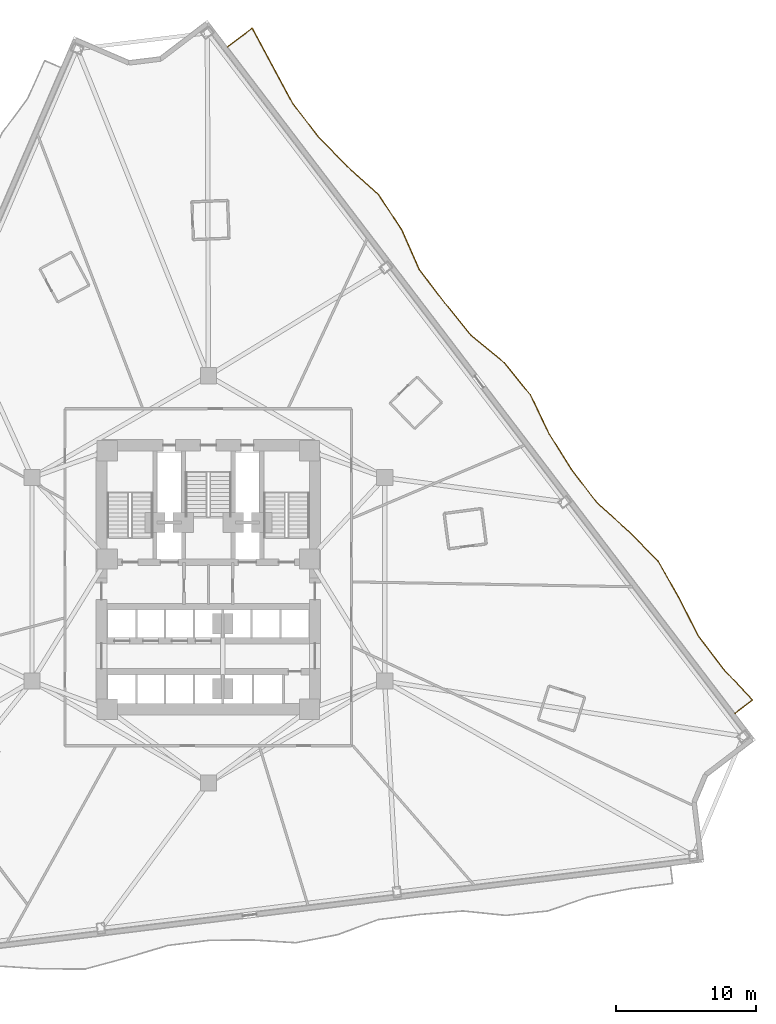
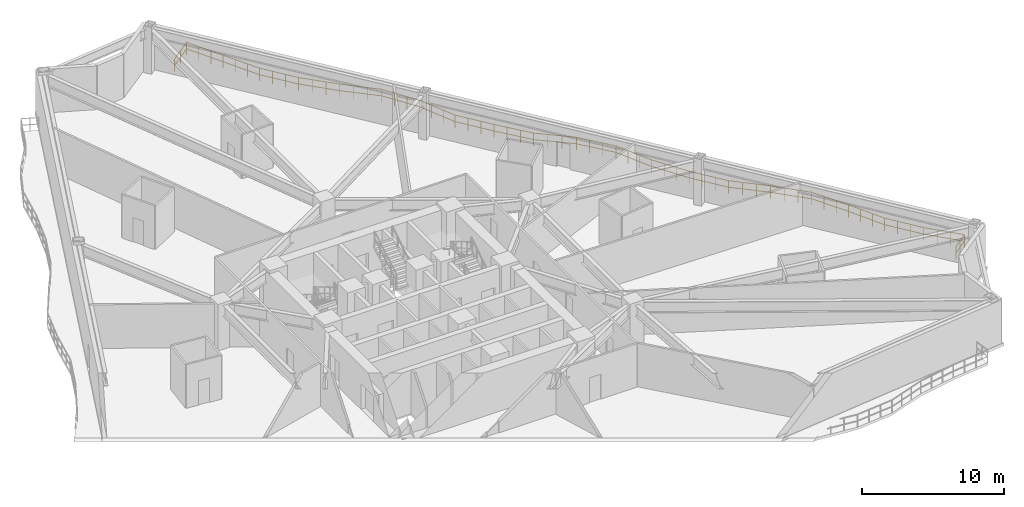
# One storey, part 13 of 13: 1 railing.
"""IFC4 building model written with IfcOpenShell, lengths in metres."""

from ifc_helpers import new_model, si_unit, direction, frame, origin, origin_2d, place, context, subcontext, project, spatial, rectangle, extrude, material, type_object, element, save


model = new_model("IFC4")

# Units and contexts
model_context = context("Model", 3, precision=1e-05, world=origin(), true_north=direction((0.0, 1.0)))
body_context = subcontext(model_context, "Body", "Model", "MODEL_VIEW")
ifc_project = project(units=[si_unit("LENGTHUNIT", "METRE"), si_unit("AREAUNIT", "SQUARE_METRE"), si_unit("VOLUMEUNIT", "CUBIC_METRE"), si_unit("PLANEANGLEUNIT", "RADIAN"), si_unit("MASSUNIT", "GRAM", prefix="KILO")], contexts=[model_context])

# Site, building, storey
site_placement = place(None, origin())
site = spatial("IfcSite", under=ifc_project, at=site_placement, CompositionType="ELEMENT")
building_placement = place(site_placement, origin())
building = spatial("IfcBuilding", under=site, at=building_placement, Name="Apsidion Concourse Tower", CompositionType="ELEMENT")
storey_placement = place(building_placement, frame((0.0, 0.0, 67.0)))
storey = spatial("IfcBuildingStorey", under=building, at=storey_placement, Name="L14", CompositionType="ELEMENT", Elevation=67.0)

# Railing
ifc_material = material(Name="Brushed stainless steel 316", Category="steel")
railing_type = type_object("IfcRailingType", Name="RL-BAL-1120", PredefinedType="BALUSTRADE", material=ifc_material)
railing_placement = place(storey_placement, frame((1.376708984375, 37.926513671875, 0.0)))
element("IfcRailing", 1, at=railing_placement, inside=storey, type_object=railing_type, Name="L14 Face 3 Rippling Balcony Balustrade", PredefinedType="BALUSTRADE", context=body_context, shape_type="SweptSolid", body=[
    extrude(rectangle(XDim=0.048095703125, YDim=0.048095703125, at=origin_2d()), frame((0.0, 0.0, 1.09619140625), z_axis=(0.795572181555, 0.605858815184, 0.0), x_axis=(-0.605858815184, 0.795572181555, 0.0)), (0.0, 0.0, 1.0), 2.194091796875),
    extrude(rectangle(XDim=0.048095703125, YDim=0.048095703125, at=origin_2d()), frame((0.0, 0.0, 0.5361328125), z_axis=(0.795572181555, 0.605858815184, 0.0), x_axis=(-0.605858815184, 0.795572181555, 0.0)), (0.0, 0.0, 1.0), 2.194091796875),
    extrude(rectangle(XDim=0.048095703125, YDim=0.048095703125, at=origin_2d()), frame((1.74560546875, 1.329345703125, 1.09619140625), z_axis=(0.473593618875, -0.880743483746, 0.0), x_axis=(0.880743483746, 0.473593618875, 0.0)), (0.0, 0.0, 1.0), 3.020263671875),
    extrude(rectangle(XDim=0.048095703125, YDim=0.048095703125, at=origin_2d()), frame((1.74560546875, 1.329345703125, 0.5361328125), z_axis=(0.473593618875, -0.880743483746, 0.0), x_axis=(0.880743483746, 0.473593618875, 0.0)), (0.0, 0.0, 1.0), 3.020263671875),
    extrude(rectangle(XDim=0.048095703125, YDim=0.048095703125, at=origin_2d()), frame((3.176025390625, -1.330810546875, 1.09619140625), z_axis=(0.474552930363, -0.880226968619, 0.0), x_axis=(0.880226968619, 0.474552930363, 0.0)), (0.0, 0.0, 1.0), 3.02001953125),
    extrude(rectangle(XDim=0.048095703125, YDim=0.048095703125, at=origin_2d()), frame((3.176025390625, -1.330810546875, 0.5361328125), z_axis=(0.474552930363, -0.880226968619, 0.0), x_axis=(0.880226968619, 0.474552930363, 0.0)), (0.0, 0.0, 1.0), 3.02001953125),
    extrude(rectangle(XDim=0.048095703125, YDim=0.048095703125, at=origin_2d()), frame((4.609130859375, -3.989013671875, 1.09619140625), z_axis=(0.605902647508, -0.795538799646, 0.0), x_axis=(0.795538799646, 0.605902647508, 0.0)), (0.0, 0.0, 1.0), 2.98291015625),
    extrude(rectangle(XDim=0.048095703125, YDim=0.048095703125, at=origin_2d()), frame((4.609130859375, -3.989013671875, 0.5361328125), z_axis=(0.605902647508, -0.795538799646, 0.0), x_axis=(0.795538799646, 0.605902647508, 0.0)), (0.0, 0.0, 1.0), 2.98291015625),
    extrude(rectangle(XDim=0.048095703125, YDim=0.048095703125, at=origin_2d()), frame((6.41650390625, -6.362060546875, 1.09619140625), z_axis=(0.699060414313, -0.715062610644, 0.0), x_axis=(0.715062610644, 0.699060414313, 0.0)), (0.0, 0.0, 1.0), 3.005615234375),
    extrude(rectangle(XDim=0.048095703125, YDim=0.048095703125, at=origin_2d()), frame((6.41650390625, -6.362060546875, 0.5361328125), z_axis=(0.699060414313, -0.715062610644, 0.0), x_axis=(0.715062610644, 0.699060414313, 0.0)), (0.0, 0.0, 1.0), 3.005615234375),
    extrude(rectangle(XDim=0.048095703125, YDim=0.048095703125, at=origin_2d()), frame((8.517578125, -8.51123046875, 1.09619140625), z_axis=(0.740747903808, -0.671783107114, 0.0), x_axis=(0.671783107114, 0.740747903808, 0.0)), (0.0, 0.0, 1.0), 3.033935546875),
    extrude(rectangle(XDim=0.048095703125, YDim=0.048095703125, at=origin_2d()), frame((8.517578125, -8.51123046875, 0.5361328125), z_axis=(0.740747903808, -0.671783107114, 0.0), x_axis=(0.671783107114, 0.740747903808, 0.0)), (0.0, 0.0, 1.0), 3.033935546875),
    extrude(rectangle(XDim=0.048095703125, YDim=0.048095703125, at=origin_2d()), frame((10.764892578125, -10.54931640625, 1.09619140625), z_axis=(0.549091532846, -0.835762220106, 0.0), x_axis=(0.835762220106, 0.549091532846, 0.0)), (0.0, 0.0, 1.0), 2.990234375),
    extrude(rectangle(XDim=0.048095703125, YDim=0.048095703125, at=origin_2d()), frame((10.764892578125, -10.54931640625, 0.5361328125), z_axis=(0.549091532846, -0.835762220106, 0.0), x_axis=(0.835762220106, 0.549091532846, 0.0)), (0.0, 0.0, 1.0), 2.990234375),
    extrude(rectangle(XDim=0.048095703125, YDim=0.048095703125, at=origin_2d()), frame((12.40673828125, -13.04833984375, 1.09619140625), z_axis=(0.403847906687, -0.914826141004, 0.0), x_axis=(0.914826141004, 0.403847906687, 0.0)), (0.0, 0.0, 1.0), 3.0673828125),
    extrude(rectangle(XDim=0.048095703125, YDim=0.048095703125, at=origin_2d()), frame((12.40673828125, -13.04833984375, 0.5361328125), z_axis=(0.403847906687, -0.914826141004, 0.0), x_axis=(0.914826141004, 0.403847906687, 0.0)), (0.0, 0.0, 1.0), 3.0673828125),
    extrude(rectangle(XDim=0.048095703125, YDim=0.048095703125, at=origin_2d()), frame((13.6455078125, -15.8544921875, 1.09619140625), z_axis=(0.605902647508, -0.795538799646, 0.0), x_axis=(0.795538799646, 0.605902647508, 0.0)), (0.0, 0.0, 1.0), 2.98291015625),
    extrude(rectangle(XDim=0.048095703125, YDim=0.048095703125, at=origin_2d()), frame((13.6455078125, -15.8544921875, 0.5361328125), z_axis=(0.605902647508, -0.795538799646, 0.0), x_axis=(0.795538799646, 0.605902647508, 0.0)), (0.0, 0.0, 1.0), 2.98291015625),
    extrude(rectangle(XDim=0.048095703125, YDim=0.048095703125, at=origin_2d()), frame((15.452880859375, -18.2275390625, 1.09619140625), z_axis=(0.631217613317, -0.775605779142, 0.0), x_axis=(0.775605779142, 0.631217613317, 0.0)), (0.0, 0.0, 1.0), 2.984375),
    extrude(rectangle(XDim=0.048095703125, YDim=0.048095703125, at=origin_2d()), frame((15.452880859375, -18.2275390625, 0.5361328125), z_axis=(0.631217613317, -0.775605779142, 0.0), x_axis=(0.775605779142, 0.631217613317, 0.0)), (0.0, 0.0, 1.0), 2.984375),
    extrude(rectangle(XDim=0.048095703125, YDim=0.048095703125, at=origin_2d()), frame((17.336669921875, -20.542236328125, 1.09619140625), z_axis=(0.770210648976, -0.637789586152, 0.0), x_axis=(0.637789586152, 0.770210648976, 0.0)), (0.0, 0.0, 1.0), 3.062255859375),
    extrude(rectangle(XDim=0.048095703125, YDim=0.048095703125, at=origin_2d()), frame((17.336669921875, -20.542236328125, 0.5361328125), z_axis=(0.770210648976, -0.637789586152, 0.0), x_axis=(0.637789586152, 0.770210648976, 0.0)), (0.0, 0.0, 1.0), 3.062255859375),
    extrude(rectangle(XDim=0.048095703125, YDim=0.048095703125, at=origin_2d()), frame((19.6953125, -22.495361328125, 1.09619140625), z_axis=(0.630909757104, -0.775856222757, 0.0), x_axis=(0.775856222757, 0.630909757104, 0.0)), (0.0, 0.0, 1.0), 2.984619140625),
    extrude(rectangle(XDim=0.048095703125, YDim=0.048095703125, at=origin_2d()), frame((19.6953125, -22.495361328125, 0.5361328125), z_axis=(0.630909757104, -0.775856222757, 0.0), x_axis=(0.775856222757, 0.630909757104, 0.0)), (0.0, 0.0, 1.0), 2.984619140625),
    extrude(rectangle(XDim=0.048095703125, YDim=0.048095703125, at=origin_2d()), frame((21.578369140625, -24.81103515625, 1.09619140625), z_axis=(0.431469675732, -0.902127440511, 0.0), x_axis=(0.902127440511, 0.431469675732, 0.0)), (0.0, 0.0, 1.0), 3.04638671875),
    extrude(rectangle(XDim=0.048095703125, YDim=0.048095703125, at=origin_2d()), frame((21.578369140625, -24.81103515625, 0.5361328125), z_axis=(0.431469675732, -0.902127440511, 0.0), x_axis=(0.902127440511, 0.431469675732, 0.0)), (0.0, 0.0, 1.0), 3.04638671875),
    extrude(rectangle(XDim=0.048095703125, YDim=0.048095703125, at=origin_2d()), frame((22.892822265625, -27.559326171875, 1.09619140625), z_axis=(0.533087845817, -0.846059896604, 0.0), x_axis=(0.846059896604, 0.533087845817, 0.0)), (0.0, 0.0, 1.0), 2.99462890625),
    extrude(rectangle(XDim=0.048095703125, YDim=0.048095703125, at=origin_2d()), frame((22.892822265625, -27.559326171875, 0.5361328125), z_axis=(0.533087845817, -0.846059896604, 0.0), x_axis=(0.846059896604, 0.533087845817, 0.0)), (0.0, 0.0, 1.0), 2.99462890625),
    extrude(rectangle(XDim=0.048095703125, YDim=0.048095703125, at=origin_2d()), frame((24.4892578125, -30.093017578125, 1.09619140625), z_axis=(0.605850845078, -0.795578251034, 0.0), x_axis=(0.795578251034, 0.605850845078, 0.0)), (0.0, 0.0, 1.0), 2.98291015625),
    extrude(rectangle(XDim=0.048095703125, YDim=0.048095703125, at=origin_2d()), frame((24.4892578125, -30.093017578125, 0.5361328125), z_axis=(0.605850845078, -0.795578251034, 0.0), x_axis=(0.795578251034, 0.605850845078, 0.0)), (0.0, 0.0, 1.0), 2.98291015625),
    extrude(rectangle(XDim=0.048095703125, YDim=0.048095703125, at=origin_2d()), frame((26.29638671875, -32.466064453125, 1.09619140625), z_axis=(0.74418490021, -0.667973677849, 0.0), x_axis=(0.667973677849, 0.74418490021, 0.0)), (0.0, 0.0, 1.0), 3.036865234375),
    extrude(rectangle(XDim=0.048095703125, YDim=0.048095703125, at=origin_2d()), frame((26.29638671875, -32.466064453125, 0.5361328125), z_axis=(0.74418490021, -0.667973677849, 0.0), x_axis=(0.667973677849, 0.74418490021, 0.0)), (0.0, 0.0, 1.0), 3.036865234375),
    extrude(rectangle(XDim=0.048095703125, YDim=0.048095703125, at=origin_2d()), frame((28.556396484375, -34.49462890625, 1.09619140625), z_axis=(0.701809712293, -0.712364462709, 0.0), x_axis=(0.712364462709, 0.701809712293, 0.0)), (0.0, 0.0, 1.0), 3.007080078125),
    extrude(rectangle(XDim=0.048095703125, YDim=0.048095703125, at=origin_2d()), frame((28.556396484375, -34.49462890625, 0.5361328125), z_axis=(0.701809712293, -0.712364462709, 0.0), x_axis=(0.712364462709, 0.701809712293, 0.0)), (0.0, 0.0, 1.0), 3.007080078125),
    extrude(rectangle(XDim=0.048095703125, YDim=0.048095703125, at=origin_2d()), frame((30.666748046875, -36.63671875, 1.09619140625), z_axis=(0.49099628262, -0.871161667231, 0.0), x_axis=(0.871161667231, 0.49099628262, 0.0)), (0.0, 0.0, 1.0), 3.01123046875),
    extrude(rectangle(XDim=0.048095703125, YDim=0.048095703125, at=origin_2d()), frame((30.666748046875, -36.63671875, 0.5361328125), z_axis=(0.49099628262, -0.871161667231, 0.0), x_axis=(0.871161667231, 0.49099628262, 0.0)), (0.0, 0.0, 1.0), 3.01123046875),
    extrude(rectangle(XDim=0.048095703125, YDim=0.048095703125, at=origin_2d()), frame((32.145263671875, -39.260009765625, 1.09619140625), z_axis=(0.455443141106, -0.89026487363, 0.0), x_axis=(0.89026487363, 0.455443141106, 0.0)), (0.0, 0.0, 1.0), 3.03076171875),
    extrude(rectangle(XDim=0.048095703125, YDim=0.048095703125, at=origin_2d()), frame((32.145263671875, -39.260009765625, 0.5361328125), z_axis=(0.455443141106, -0.89026487363, 0.0), x_axis=(0.89026487363, 0.455443141106, 0.0)), (0.0, 0.0, 1.0), 3.03076171875),
    extrude(rectangle(XDim=0.048095703125, YDim=0.048095703125, at=origin_2d()), frame((33.525634765625, -41.958251953125, 1.09619140625), z_axis=(0.605902647508, -0.795538799646, 0.0), x_axis=(0.795538799646, 0.605902647508, 0.0)), (0.0, 0.0, 1.0), 2.98291015625),
    extrude(rectangle(XDim=0.048095703125, YDim=0.048095703125, at=origin_2d()), frame((33.525634765625, -41.958251953125, 0.5361328125), z_axis=(0.605902647508, -0.795538799646, 0.0), x_axis=(0.795538799646, 0.605902647508, 0.0)), (0.0, 0.0, 1.0), 2.98291015625),
    extrude(rectangle(XDim=0.048095703125, YDim=0.048095703125, at=origin_2d()), frame((35.3330078125, -44.331298828125, 1.09619140625), z_axis=(0.682422696441, -0.730957771271, 0.0), x_axis=(0.730957771271, 0.682422696441, 0.0)), (0.0, 0.0, 1.0), 2.998046875),
    extrude(rectangle(XDim=0.048095703125, YDim=0.048095703125, at=origin_2d()), frame((35.3330078125, -44.331298828125, 0.5361328125), z_axis=(0.682422696441, -0.730957771271, 0.0), x_axis=(0.730957771271, 0.682422696441, 0.0)), (0.0, 0.0, 1.0), 2.998046875),
    extrude(rectangle(XDim=0.048095703125, YDim=0.048095703125, at=origin_2d()), frame((37.37890625, -46.522705078125, 1.09619140625), z_axis=(-0.795536558017, -0.605905590713, 0.0), x_axis=(0.605905590713, -0.795536558017, 0.0)), (0.0, 0.0, 1.0), 1.550048828125),
    extrude(rectangle(XDim=0.048095703125, YDim=0.048095703125, at=origin_2d()), frame((37.37890625, -46.522705078125, 0.5361328125), z_axis=(-0.795536558017, -0.605905590713, 0.0), x_axis=(0.605905590713, -0.795536558017, 0.0)), (0.0, 0.0, 1.0), 1.550048828125),
    extrude(rectangle(XDim=0.0419921875, YDim=0.0419921875, at=origin_2d()), origin(), (0.0, 0.0, 1.0), 1.072021484375),
    extrude(rectangle(XDim=0.0419921875, YDim=0.0419921875, at=origin_2d()), frame((0.872802734375, 0.66455078125, 0.0)), (0.0, 0.0, 1.0), 1.072021484375),
    extrude(rectangle(XDim=0.0419921875, YDim=0.0419921875, at=origin_2d()), frame((1.74560546875, 1.329345703125, 0.0)), (0.0, 0.0, 1.0), 1.072021484375),
    extrude(rectangle(XDim=0.0419921875, YDim=0.0419921875, at=origin_2d()), frame((2.222412109375, 0.442626953125, 0.0)), (0.0, 0.0, 1.0), 1.072021484375),
    extrude(rectangle(XDim=0.0419921875, YDim=0.0419921875, at=origin_2d()), frame((2.69921875, -0.444091796875, 0.0)), (0.0, 0.0, 1.0), 1.072021484375),
    extrude(rectangle(XDim=0.0419921875, YDim=0.0419921875, at=origin_2d()), frame((3.176025390625, -1.330810546875, 0.0)), (0.0, 0.0, 1.0), 1.072021484375),
    extrude(rectangle(XDim=0.0419921875, YDim=0.0419921875, at=origin_2d()), frame((3.65380859375, -2.216796875, 0.0)), (0.0, 0.0, 1.0), 1.072021484375),
    extrude(rectangle(XDim=0.0419921875, YDim=0.0419921875, at=origin_2d()), frame((4.13134765625, -3.10302734375, 0.0)), (0.0, 0.0, 1.0), 1.072021484375),
    extrude(rectangle(XDim=0.0419921875, YDim=0.0419921875, at=origin_2d()), frame((4.609130859375, -3.989013671875, 0.0)), (0.0, 0.0, 1.0), 1.072021484375),
    extrude(rectangle(XDim=0.0419921875, YDim=0.0419921875, at=origin_2d()), frame((5.211669921875, -4.780029296875, 0.0)), (0.0, 0.0, 1.0), 1.072021484375),
    extrude(rectangle(XDim=0.0419921875, YDim=0.0419921875, at=origin_2d()), frame((5.81396484375, -5.571044921875, 0.0)), (0.0, 0.0, 1.0), 1.072021484375),
    extrude(rectangle(XDim=0.0419921875, YDim=0.0419921875, at=origin_2d()), frame((6.41650390625, -6.362060546875, 0.0)), (0.0, 0.0, 1.0), 1.072021484375),
    extrude(rectangle(XDim=0.0419921875, YDim=0.0419921875, at=origin_2d()), frame((7.116943359375, -7.078369140625, 0.0)), (0.0, 0.0, 1.0), 1.072021484375),
    extrude(rectangle(XDim=0.0419921875, YDim=0.0419921875, at=origin_2d()), frame((7.817138671875, -7.794921875, 0.0)), (0.0, 0.0, 1.0), 1.072021484375),
    extrude(rectangle(XDim=0.0419921875, YDim=0.0419921875, at=origin_2d()), frame((8.517578125, -8.51123046875, 0.0)), (0.0, 0.0, 1.0), 1.072021484375),
    extrude(rectangle(XDim=0.0419921875, YDim=0.0419921875, at=origin_2d()), frame((9.2666015625, -9.190673828125, 0.0)), (0.0, 0.0, 1.0), 1.072021484375),
    extrude(rectangle(XDim=0.0419921875, YDim=0.0419921875, at=origin_2d()), frame((10.015869140625, -9.869873046875, 0.0)), (0.0, 0.0, 1.0), 1.072021484375),
    extrude(rectangle(XDim=0.0419921875, YDim=0.0419921875, at=origin_2d()), frame((10.764892578125, -10.54931640625, 0.0)), (0.0, 0.0, 1.0), 1.072021484375),
    extrude(rectangle(XDim=0.0419921875, YDim=0.0419921875, at=origin_2d()), frame((11.312255859375, -11.38232421875, 0.0)), (0.0, 0.0, 1.0), 1.072021484375),
    extrude(rectangle(XDim=0.0419921875, YDim=0.0419921875, at=origin_2d()), frame((11.859375, -12.21533203125, 0.0)), (0.0, 0.0, 1.0), 1.072021484375),
    extrude(rectangle(XDim=0.0419921875, YDim=0.0419921875, at=origin_2d()), frame((12.40673828125, -13.04833984375, 0.0)), (0.0, 0.0, 1.0), 1.072021484375),
    extrude(rectangle(XDim=0.0419921875, YDim=0.0419921875, at=origin_2d()), frame((12.819580078125, -13.983642578125, 0.0)), (0.0, 0.0, 1.0), 1.072021484375),
    extrude(rectangle(XDim=0.0419921875, YDim=0.0419921875, at=origin_2d()), frame((13.232666015625, -14.919189453125, 0.0)), (0.0, 0.0, 1.0), 1.072021484375),
    extrude(rectangle(XDim=0.0419921875, YDim=0.0419921875, at=origin_2d()), frame((13.6455078125, -15.8544921875, 0.0)), (0.0, 0.0, 1.0), 1.072021484375),
    extrude(rectangle(XDim=0.0419921875, YDim=0.0419921875, at=origin_2d()), frame((14.248046875, -16.6455078125, 0.0)), (0.0, 0.0, 1.0), 1.072021484375),
    extrude(rectangle(XDim=0.0419921875, YDim=0.0419921875, at=origin_2d()), frame((14.850341796875, -17.4365234375, 0.0)), (0.0, 0.0, 1.0), 1.072021484375),
    extrude(rectangle(XDim=0.0419921875, YDim=0.0419921875, at=origin_2d()), frame((15.452880859375, -18.2275390625, 0.0)), (0.0, 0.0, 1.0), 1.072021484375),
    extrude(rectangle(XDim=0.0419921875, YDim=0.0419921875, at=origin_2d()), frame((16.080810546875, -18.9990234375, 0.0)), (0.0, 0.0, 1.0), 1.072021484375),
    extrude(rectangle(XDim=0.0419921875, YDim=0.0419921875, at=origin_2d()), frame((16.708740234375, -19.770751953125, 0.0)), (0.0, 0.0, 1.0), 1.072021484375),
    extrude(rectangle(XDim=0.0419921875, YDim=0.0419921875, at=origin_2d()), frame((17.336669921875, -20.542236328125, 0.0)), (0.0, 0.0, 1.0), 1.072021484375),
    extrude(rectangle(XDim=0.0419921875, YDim=0.0419921875, at=origin_2d()), frame((18.122802734375, -21.193359375, 0.0)), (0.0, 0.0, 1.0), 1.072021484375),
    extrude(rectangle(XDim=0.0419921875, YDim=0.0419921875, at=origin_2d()), frame((18.9091796875, -21.84423828125, 0.0)), (0.0, 0.0, 1.0), 1.072021484375),
    extrude(rectangle(XDim=0.0419921875, YDim=0.0419921875, at=origin_2d()), frame((19.6953125, -22.495361328125, 0.0)), (0.0, 0.0, 1.0), 1.072021484375),
    extrude(rectangle(XDim=0.0419921875, YDim=0.0419921875, at=origin_2d()), frame((20.322998046875, -23.267333984375, 0.0)), (0.0, 0.0, 1.0), 1.072021484375),
    extrude(rectangle(XDim=0.0419921875, YDim=0.0419921875, at=origin_2d()), frame((20.95068359375, -24.0390625, 0.0)), (0.0, 0.0, 1.0), 1.072021484375),
    extrude(rectangle(XDim=0.0419921875, YDim=0.0419921875, at=origin_2d()), frame((21.578369140625, -24.81103515625, 0.0)), (0.0, 0.0, 1.0), 1.072021484375),
    extrude(rectangle(XDim=0.0419921875, YDim=0.0419921875, at=origin_2d()), frame((22.0166015625, -25.72705078125, 0.0)), (0.0, 0.0, 1.0), 1.072021484375),
    extrude(rectangle(XDim=0.0419921875, YDim=0.0419921875, at=origin_2d()), frame((22.45458984375, -26.643310546875, 0.0)), (0.0, 0.0, 1.0), 1.072021484375),
    extrude(rectangle(XDim=0.0419921875, YDim=0.0419921875, at=origin_2d()), frame((22.892822265625, -27.559326171875, 0.0)), (0.0, 0.0, 1.0), 1.072021484375),
    extrude(rectangle(XDim=0.0419921875, YDim=0.0419921875, at=origin_2d()), frame((23.425048828125, -28.40380859375, 0.0)), (0.0, 0.0, 1.0), 1.072021484375),
    extrude(rectangle(XDim=0.0419921875, YDim=0.0419921875, at=origin_2d()), frame((23.95703125, -29.24853515625, 0.0)), (0.0, 0.0, 1.0), 1.072021484375),
    extrude(rectangle(XDim=0.0419921875, YDim=0.0419921875, at=origin_2d()), frame((24.4892578125, -30.093017578125, 0.0)), (0.0, 0.0, 1.0), 1.072021484375),
    extrude(rectangle(XDim=0.0419921875, YDim=0.0419921875, at=origin_2d()), frame((25.091552734375, -30.884033203125, 0.0)), (0.0, 0.0, 1.0), 1.072021484375),
    extrude(rectangle(XDim=0.0419921875, YDim=0.0419921875, at=origin_2d()), frame((25.694091796875, -31.675048828125, 0.0)), (0.0, 0.0, 1.0), 1.072021484375),
    extrude(rectangle(XDim=0.0419921875, YDim=0.0419921875, at=origin_2d()), frame((26.29638671875, -32.466064453125, 0.0)), (0.0, 0.0, 1.0), 1.072021484375),
    extrude(rectangle(XDim=0.0419921875, YDim=0.0419921875, at=origin_2d()), frame((27.0498046875, -33.142333984375, 0.0)), (0.0, 0.0, 1.0), 1.072021484375),
    extrude(rectangle(XDim=0.0419921875, YDim=0.0419921875, at=origin_2d()), frame((27.802978515625, -33.818359375, 0.0)), (0.0, 0.0, 1.0), 1.072021484375),
    extrude(rectangle(XDim=0.0419921875, YDim=0.0419921875, at=origin_2d()), frame((28.556396484375, -34.49462890625, 0.0)), (0.0, 0.0, 1.0), 1.072021484375),
    extrude(rectangle(XDim=0.0419921875, YDim=0.0419921875, at=origin_2d()), frame((29.259765625, -35.208740234375, 0.0)), (0.0, 0.0, 1.0), 1.072021484375),
    extrude(rectangle(XDim=0.0419921875, YDim=0.0419921875, at=origin_2d()), frame((29.96337890625, -35.922607421875, 0.0)), (0.0, 0.0, 1.0), 1.072021484375),
    extrude(rectangle(XDim=0.0419921875, YDim=0.0419921875, at=origin_2d()), frame((30.666748046875, -36.63671875, 0.0)), (0.0, 0.0, 1.0), 1.072021484375),
    extrude(rectangle(XDim=0.0419921875, YDim=0.0419921875, at=origin_2d()), frame((31.15966796875, -37.51123046875, 0.0)), (0.0, 0.0, 1.0), 1.072021484375),
    extrude(rectangle(XDim=0.0419921875, YDim=0.0419921875, at=origin_2d()), frame((31.65234375, -38.385498046875, 0.0)), (0.0, 0.0, 1.0), 1.072021484375),
    extrude(rectangle(XDim=0.0419921875, YDim=0.0419921875, at=origin_2d()), frame((32.145263671875, -39.260009765625, 0.0)), (0.0, 0.0, 1.0), 1.072021484375),
    extrude(rectangle(XDim=0.0419921875, YDim=0.0419921875, at=origin_2d()), frame((32.60546875, -40.159423828125, 0.0)), (0.0, 0.0, 1.0), 1.072021484375),
    extrude(rectangle(XDim=0.0419921875, YDim=0.0419921875, at=origin_2d()), frame((33.0654296875, -41.058837890625, 0.0)), (0.0, 0.0, 1.0), 1.072021484375),
    extrude(rectangle(XDim=0.0419921875, YDim=0.0419921875, at=origin_2d()), frame((33.525634765625, -41.958251953125, 0.0)), (0.0, 0.0, 1.0), 1.072021484375),
    extrude(rectangle(XDim=0.0419921875, YDim=0.0419921875, at=origin_2d()), frame((34.128173828125, -42.749267578125, 0.0)), (0.0, 0.0, 1.0), 1.072021484375),
    extrude(rectangle(XDim=0.0419921875, YDim=0.0419921875, at=origin_2d()), frame((34.73046875, -43.540283203125, 0.0)), (0.0, 0.0, 1.0), 1.072021484375),
    extrude(rectangle(XDim=0.0419921875, YDim=0.0419921875, at=origin_2d()), frame((35.3330078125, -44.331298828125, 0.0)), (0.0, 0.0, 1.0), 1.072021484375),
    extrude(rectangle(XDim=0.0419921875, YDim=0.0419921875, at=origin_2d()), frame((36.014892578125, -45.061767578125, 0.0)), (0.0, 0.0, 1.0), 1.072021484375),
    extrude(rectangle(XDim=0.0419921875, YDim=0.0419921875, at=origin_2d()), frame((36.697021484375, -45.792236328125, 0.0)), (0.0, 0.0, 1.0), 1.072021484375),
    extrude(rectangle(XDim=0.0419921875, YDim=0.0419921875, at=origin_2d()), frame((37.37890625, -46.522705078125, 0.0)), (0.0, 0.0, 1.0), 1.072021484375),
    extrude(rectangle(XDim=0.0419921875, YDim=0.0419921875, at=origin_2d()), frame((36.76220703125, -46.9921875, 0.0)), (0.0, 0.0, 1.0), 1.072021484375),
    extrude(rectangle(XDim=0.0419921875, YDim=0.0419921875, at=origin_2d()), frame((36.145751953125, -47.4619140625, 0.0)), (0.0, 0.0, 1.0), 1.072021484375),
])

save(model, "model.ifc")
